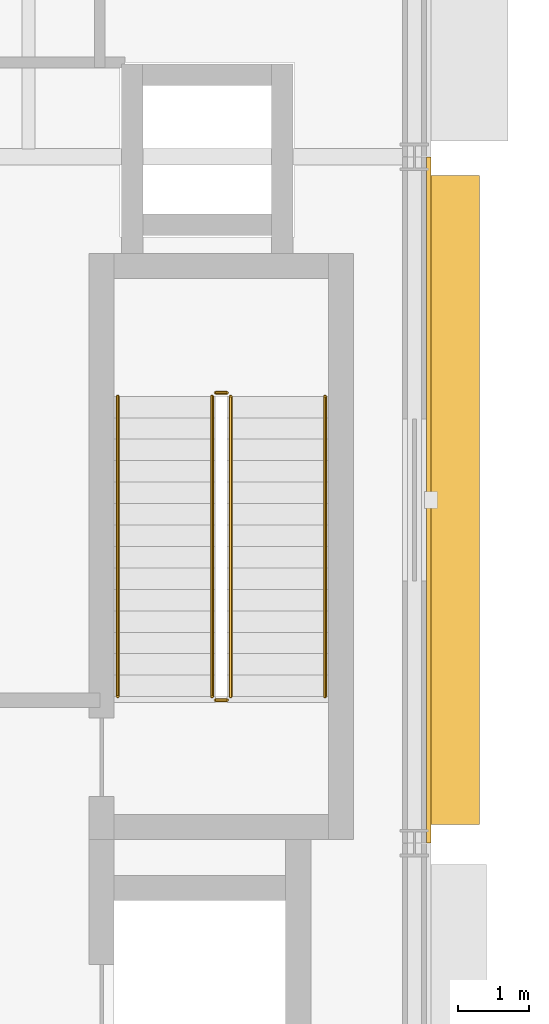
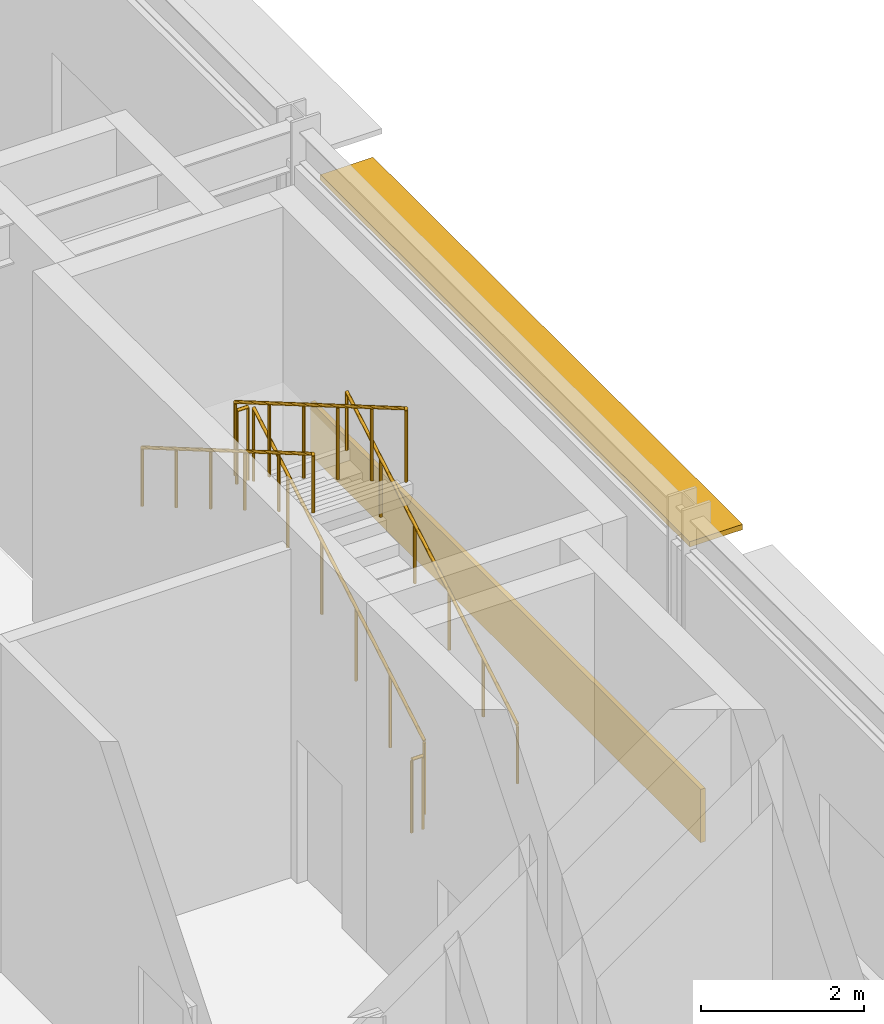
# One storey, part 163 of 168: 6 railings, 1 covering, 1 shading device.
"""IFC4 building model written with IfcOpenShell, lengths in metres."""

from ifc_helpers import new_model, si_unit, direction, frame, origin, origin_2d, place, context, subcontext, project, spatial, rectangle, circle, extrude, material, layer, layer_set, type_object, element, save


model = new_model("IFC4")

# Units and contexts
model_context = context("Model", 3, precision=1e-05, world=origin(), true_north=direction((0.0, 1.0)))
body_context = subcontext(model_context, "Body", "Model", "MODEL_VIEW")
ifc_project = project(units=[si_unit("LENGTHUNIT", "METRE"), si_unit("AREAUNIT", "SQUARE_METRE"), si_unit("VOLUMEUNIT", "CUBIC_METRE"), si_unit("PLANEANGLEUNIT", "RADIAN"), si_unit("MASSUNIT", "GRAM", prefix="KILO")], contexts=[model_context])

# Site, building, storey
site_placement = place(None, origin())
site = spatial("IfcSite", under=ifc_project, at=site_placement, CompositionType="ELEMENT")
building_placement = place(site_placement, origin())
building = spatial("IfcBuilding", under=site, at=building_placement, Name="Almandine Court Research Institute", CompositionType="ELEMENT")
storey_placement = place(building_placement, origin())
storey = spatial("IfcBuildingStorey", under=building, at=storey_placement, Name="L00", CompositionType="ELEMENT", Elevation=0.0)

# Covering
ifc_material_1 = material(Name="Honed Andean Red-Buff Sandstone Cladding", Category="masonry")
ifc_layer_1 = layer(ifc_material_1, 0.06494140625)
ifc_layer_set_1 = layer_set([ifc_layer_1], Name="Honed Andean Red-Buff Sandstone Cladding")
covering_type = type_object("IfcCoveringType", Name="Cov-CLAD-SAND", PredefinedType="CLADDING", material=ifc_layer_set_1)
covering_placement = place(storey_placement, frame((174.200927734375, 30.0, 0.02001953125), z_axis=(0.0, 0.0, 1.0), x_axis=(0.0, -1.0, 0.0)))
element("IfcCovering", 1, at=covering_placement, inside=storey, type_object=covering_type, Name="L00 Facade Spandrel Cladding Band 114", PredefinedType="CLADDING", context=body_context, shape_type="SweptSolid", body=[
    extrude(rectangle(XDim=9.592041015625, YDim=0.06494140625, at=origin_2d()), origin(), (0.0, 0.0, 1.0), 0.800048828125),
])

# Railings
ifc_material_2 = material(Name="Powder-Coated Steel Stair and Atrium Balustrade", Category="steel")
railing_type_1 = type_object("IfcRailingType", Name="Rail-GUARD-INT", PredefinedType="BALUSTRADE", material=ifc_material_2)
railing_1_placement = place(storey_placement, frame((171.429931640625, 27.25, 0.175048828125)))
element("IfcRailing", 2, at=railing_1_placement, inside=storey, type_object=railing_type_1, Name="L00 ST-07 stair guard 1", PredefinedType="BALUSTRADE", context=body_context, shape_type="SweptSolid", body=[
    extrude(circle(Radius=0.02392578125, at=origin_2d()), frame((0.0, 0.0, 1.09619140625), z_axis=(0.0, 0.863780722019, 0.50386790359), x_axis=(-1.0, 0.0, 0.0)), (0.0, 0.0, 1.0), 4.8623046875),
    extrude(circle(Radius=0.02099609375, at=origin_2d()), origin(), (0.0, 0.0, 1.0), 1.072021484375),
    extrude(circle(Radius=0.02099609375, at=origin_2d()), frame((0.0, 0.840087890625, 0.489990234375)), (0.0, 0.0, 1.0), 1.072021484375),
    extrude(circle(Radius=0.02099609375, at=origin_2d()), frame((0.0, 1.679931640625, 0.97998046875)), (0.0, 0.0, 1.0), 1.072021484375),
    extrude(circle(Radius=0.02099609375, at=origin_2d()), frame((0.0, 2.52001953125, 1.469970703125)), (0.0, 0.0, 1.0), 1.072021484375),
    extrude(circle(Radius=0.02099609375, at=origin_2d()), frame((0.0, 3.35986328125, 1.9599609375)), (0.0, 0.0, 1.0), 1.072021484375),
    extrude(circle(Radius=0.02099609375, at=origin_2d()), frame((0.0, 4.199951171875, 2.449951171875)), (0.0, 0.0, 1.0), 1.072021484375),
])
railing_2_placement = place(storey_placement, frame((171.3798828125, 31.5, 2.625)))
element("IfcRailing", 3, at=railing_2_placement, inside=storey, type_object=railing_type_1, Name="L00 ST-07 stair guard 2", PredefinedType="BALUSTRADE", context=body_context, shape_type="SweptSolid", body=[
    extrude(circle(Radius=0.02392578125, at=origin_2d()), frame((0.0, 0.0, 1.09619140625), z_axis=(-1.0, 0.0, 0.0), x_axis=(0.0, -1.0, 0.0)), (0.0, 0.0, 1.0), 0.159912109375),
    extrude(circle(Radius=0.02099609375, at=origin_2d()), origin(), (0.0, 0.0, 1.0), 1.072021484375),
    extrude(circle(Radius=0.02099609375, at=origin_2d()), frame((-0.159912109375, 0.0, 0.0)), (0.0, 0.0, 1.0), 1.072021484375),
])
railing_3_placement = place(storey_placement, frame((171.169921875, 31.449951171875, 2.800048828125)))
element("IfcRailing", 4, at=railing_3_placement, inside=storey, type_object=railing_type_1, Name="L00 ST-07 stair guard 3", PredefinedType="BALUSTRADE", context=body_context, shape_type="SweptSolid", body=[
    extrude(circle(Radius=0.02392578125, at=origin_2d()), frame((0.0, 0.0, 1.09619140625), z_axis=(0.0, -0.863780722019, 0.50386790359), x_axis=(1.0, 0.0, 0.0)), (0.0, 0.0, 1.0), 4.8623046875),
    extrude(circle(Radius=0.02099609375, at=origin_2d()), origin(), (0.0, 0.0, 1.0), 1.072021484375),
    extrude(circle(Radius=0.02099609375, at=origin_2d()), frame((0.0, -0.840087890625, 0.489990234375)), (0.0, 0.0, 1.0), 1.072021484375),
    extrude(circle(Radius=0.02099609375, at=origin_2d()), frame((0.0, -1.679931640625, 0.97998046875)), (0.0, 0.0, 1.0), 1.072021484375),
    extrude(circle(Radius=0.02099609375, at=origin_2d()), frame((0.0, -2.52001953125, 1.469970703125)), (0.0, 0.0, 1.0), 1.072021484375),
    extrude(circle(Radius=0.02099609375, at=origin_2d()), frame((0.0, -3.35986328125, 1.9599609375)), (0.0, 0.0, 1.0), 1.072021484375),
    extrude(circle(Radius=0.02099609375, at=origin_2d()), frame((0.0, -4.199951171875, 2.449951171875)), (0.0, 0.0, 1.0), 1.072021484375),
])
railing_4_placement = place(storey_placement, frame((171.3798828125, 27.199951171875, 0.0)))
element("IfcRailing", 5, at=railing_4_placement, inside=storey, type_object=railing_type_1, Name="L00 ST-07 stair guard 4", PredefinedType="BALUSTRADE", context=body_context, shape_type="SweptSolid", body=[
    extrude(circle(Radius=0.02392578125, at=origin_2d()), frame((0.0, 0.0, 1.09619140625), z_axis=(-1.0, 0.0, 0.0), x_axis=(0.0, -1.0, 0.0)), (0.0, 0.0, 1.0), 0.159912109375),
    extrude(circle(Radius=0.02099609375, at=origin_2d()), origin(), (0.0, 0.0, 1.0), 1.072021484375),
    extrude(circle(Radius=0.02099609375, at=origin_2d()), frame((-0.159912109375, 0.0, 0.0)), (0.0, 0.0, 1.0), 1.072021484375),
])
ifc_material_3 = material(Name="Brushed Stainless Steel Wall Handrail", Category="steel")
railing_type_2 = type_object("IfcRailingType", Name="Rail-HAND-INT", PredefinedType="HANDRAIL", material=ifc_material_3)
railing_5_placement = place(storey_placement, frame((172.75, 27.25, 0.175048828125)))
element("IfcRailing", 6, at=railing_5_placement, inside=storey, type_object=railing_type_2, Name="L00 ST-07 stair handrail 1", PredefinedType="HANDRAIL", context=body_context, shape_type="SweptSolid", body=[
    extrude(circle(Radius=0.02392578125, at=origin_2d()), frame((0.0, 0.0, 0.8759765625), z_axis=(0.0, 0.863780722019, 0.50386790359), x_axis=(-1.0, 0.0, 0.0)), (0.0, 0.0, 1.0), 4.8623046875),
    extrude(circle(Radius=0.02099609375, at=origin_2d()), origin(), (0.0, 0.0, 1.0), 0.851806640625),
    extrude(circle(Radius=0.02099609375, at=origin_2d()), frame((0.0, 0.840087890625, 0.489990234375)), (0.0, 0.0, 1.0), 0.851806640625),
    extrude(circle(Radius=0.02099609375, at=origin_2d()), frame((0.0, 1.679931640625, 0.97998046875)), (0.0, 0.0, 1.0), 0.851806640625),
    extrude(circle(Radius=0.02099609375, at=origin_2d()), frame((0.0, 2.52001953125, 1.469970703125)), (0.0, 0.0, 1.0), 0.851806640625),
    extrude(circle(Radius=0.02099609375, at=origin_2d()), frame((0.0, 3.35986328125, 1.9599609375)), (0.0, 0.0, 1.0), 0.851806640625),
    extrude(circle(Radius=0.02099609375, at=origin_2d()), frame((0.0, 4.199951171875, 2.449951171875)), (0.0, 0.0, 1.0), 0.851806640625),
])
railing_6_placement = place(storey_placement, frame((169.85009765625, 31.449951171875, 2.800048828125)))
element("IfcRailing", 7, at=railing_6_placement, inside=storey, type_object=railing_type_2, Name="L00 ST-07 stair handrail 2", PredefinedType="HANDRAIL", context=body_context, shape_type="SweptSolid", body=[
    extrude(circle(Radius=0.02392578125, at=origin_2d()), frame((0.0, 0.0, 0.8759765625), z_axis=(0.0, -0.863780722019, 0.50386790359), x_axis=(1.0, 0.0, 0.0)), (0.0, 0.0, 1.0), 4.8623046875),
    extrude(circle(Radius=0.02099609375, at=origin_2d()), origin(), (0.0, 0.0, 1.0), 0.851806640625),
    extrude(circle(Radius=0.02099609375, at=origin_2d()), frame((0.0, -0.840087890625, 0.489990234375)), (0.0, 0.0, 1.0), 0.851806640625),
    extrude(circle(Radius=0.02099609375, at=origin_2d()), frame((0.0, -1.679931640625, 0.97998046875)), (0.0, 0.0, 1.0), 0.851806640625),
    extrude(circle(Radius=0.02099609375, at=origin_2d()), frame((0.0, -2.52001953125, 1.469970703125)), (0.0, 0.0, 1.0), 0.851806640625),
    extrude(circle(Radius=0.02099609375, at=origin_2d()), frame((0.0, -3.35986328125, 1.9599609375)), (0.0, 0.0, 1.0), 0.851806640625),
    extrude(circle(Radius=0.02099609375, at=origin_2d()), frame((0.0, -4.199951171875, 2.449951171875)), (0.0, 0.0, 1.0), 0.851806640625),
])

# Shading device
ifc_material_4 = material(Name="Precast GFRC Chhajja Sunshade and Acoustic Louvre", Category="concrete")
ifc_layer_2 = layer(ifc_material_4, 0.080078125)
ifc_layer_set_2 = layer_set([ifc_layer_2], Name="Precast GFRC Chhajja Sunshade and Acoustic Louvre")
shading_device_type = type_object("IfcShadingDeviceType", Name="Shd-SD-45", PredefinedType="AWNING", material=ifc_layer_set_2)
shading_device_placement = place(storey_placement, frame((174.534912109375, 30.0, 4.303955078125), z_axis=(0.0, 0.0, 1.0), x_axis=(0.0, -1.0, 0.0)))
element("IfcShadingDevice", 8, at=shading_device_placement, inside=storey, type_object=shading_device_type, Name="L00 Projecting Chhajja Sunshade 74", PredefinedType="AWNING", context=body_context, shape_type="SweptSolid", body=[
    extrude(rectangle(XDim=9.08203125, YDim=0.75, at=origin_2d()), origin(), (0.0, 0.0, 1.0), 0.080078125),
])

save(model, "model.ifc")
